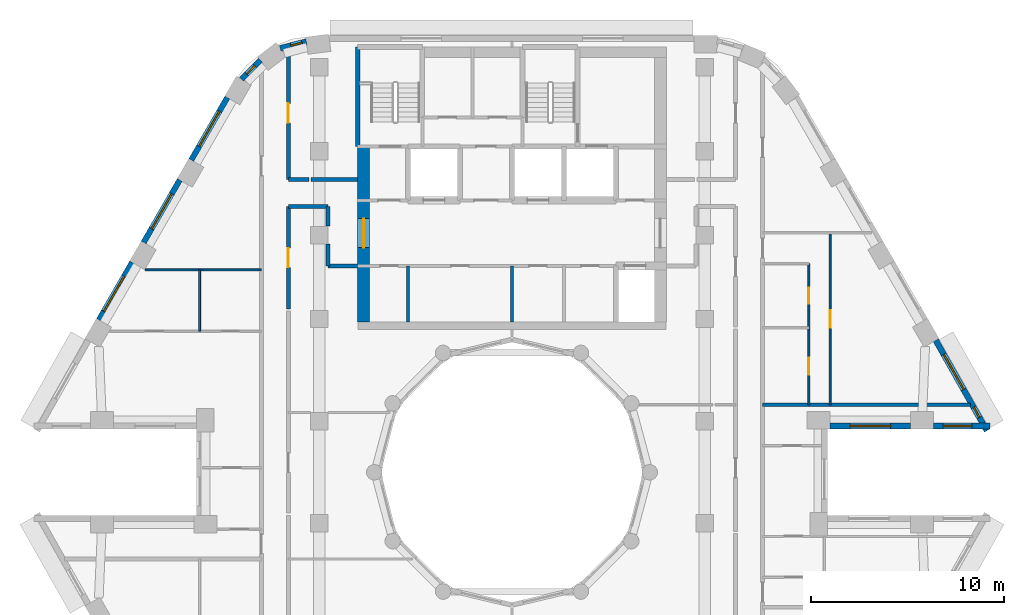
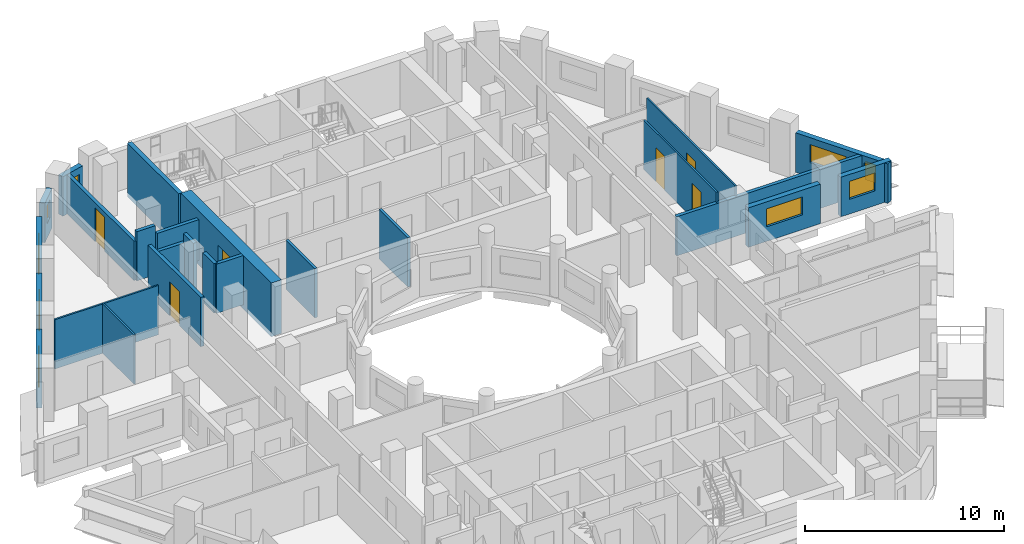
# One storey, part 7 of 16: 25 walls, 9 windows, 6 doors, 15 openings.
"""IFC4 building model written with IfcOpenShell, lengths in metres."""

import ifcopenshell
import ifcopenshell.guid

model = None  # the IFC model being written
_history = None  # IfcOwnerHistory: only IFC2X3 demands one
_inside = {}  # id of a spatial element -> (the spatial element, [elements in it])
_under = {}  # id of a project, library or spatial element -> (it, [spatial elements below it])
_declared = {}  # id of a project -> (the project, [libraries it declares])
_typed = {}  # id of a type object -> (the type object, [elements of that type])
_made_of = {}  # id of a material, layer set ... -> (it, [elements and type objects made of it])


def new_model(schema):
    """Start an empty IFC model of exactly this schema.

    Asked for "IFC4X3", IfcOpenShell would pick the latest addendum, in which some entities
    have other attributes; the version numbers below select the first issue.
    IFC2X3 requires an IfcOwnerHistory on every rooted entity: one is made here for all.
    """
    global model, _history
    if schema == "IFC4X3":
        model = ifcopenshell.file(schema_version=(4, 3, 0, 0))
    else:
        model = ifcopenshell.file(schema=schema)
    _inside.clear()
    _under.clear()
    _declared.clear()
    _typed.clear()
    _made_of.clear()
    _history = None
    if model.schema == "IFC2X3":
        org = make("IfcOrganization", Name="unknown")
        user = make(
            "IfcPersonAndOrganization",
            ThePerson=make("IfcPerson", FamilyName="unknown"),
            TheOrganization=org,
        )
        app = make(
            "IfcApplication",
            ApplicationDeveloper=org,
            Version="unknown",
            ApplicationFullName="unknown",
            ApplicationIdentifier="unknown",
        )
        _history = make(
            "IfcOwnerHistory",
            OwningUser=user,
            OwningApplication=app,
            ChangeAction="ADDED",
            CreationDate=0,
        )
    return model


def make(cls, **values):
    """One entity of the class cls with the attributes given. An attribute that is None is left unset."""
    return model.create_entity(
        cls, **{name: value for name, value in values.items() if value is not None}
    )


def rooted(cls, **values):
    """An entity with a GlobalId (a new one), such as an element, a storey or a relation."""
    return make(cls, GlobalId=ifcopenshell.guid.new(), OwnerHistory=_history, **values)


def si_unit(unit_type, name, prefix=None):
    """IfcSIUnit, for example si_unit("LENGTHUNIT", "METRE", prefix="MILLI")."""
    return make("IfcSIUnit", UnitType=unit_type, Prefix=prefix, Name=name)


def assignment(units):
    """IfcUnitAssignment: the units of a project."""
    return None if units is None else make("IfcUnitAssignment", Units=units)


def point(xyz):
    """IfcCartesianPoint."""
    return None if xyz is None else make("IfcCartesianPoint", Coordinates=xyz)


def direction(xyz):
    """IfcDirection."""
    return None if xyz is None else make("IfcDirection", DirectionRatios=xyz)


def frame(location, z_axis=None, x_axis=None):
    """IfcAxis2Placement3D, a coordinate frame: its origin and axes. An axis left out is left unset."""
    return make(
        "IfcAxis2Placement3D",
        Location=point(location),
        Axis=direction(z_axis),
        RefDirection=direction(x_axis),
    )


def frame_2d(location, x_axis=None):
    """IfcAxis2Placement2D, a coordinate frame in the plane: its origin and x axis."""
    return make(
        "IfcAxis2Placement2D", Location=point(location), RefDirection=direction(x_axis)
    )


def origin():
    """The frame at (0, 0, 0) with its axes left unset."""
    return frame((0.0, 0.0, 0.0))


def place(relative_to, where):
    """IfcLocalPlacement: puts the frame where relative to a parent placement (None: the world)."""
    return make(
        "IfcLocalPlacement", PlacementRelTo=relative_to, RelativePlacement=where
    )


def context(
    kind, dimensions, precision=None, world=None, true_north=None, identifier=None
):
    """IfcGeometricRepresentationContext, for example the 3D "Model" context."""
    return make(
        "IfcGeometricRepresentationContext",
        ContextIdentifier=identifier,
        ContextType=kind,
        CoordinateSpaceDimension=dimensions,
        Precision=precision,
        WorldCoordinateSystem=world,
        TrueNorth=true_north,
    )


def subcontext(parent, identifier, kind, view, scale=None):
    """IfcGeometricRepresentationSubContext, for example "Body" below "Model"."""
    return make(
        "IfcGeometricRepresentationSubContext",
        ContextIdentifier=identifier,
        ContextType=kind,
        ParentContext=parent,
        TargetScale=scale,
        TargetView=view,
    )


def project(units=None, contexts=None):
    """IfcProject with its units and contexts."""
    return rooted(
        "IfcProject",
        Name="project",
        RepresentationContexts=contexts,
        UnitsInContext=assignment(units),
    )


def spatial(cls, under=None, at=None, **own):
    """A site, building, storey or space (cls), placed at a placement, below another one or the project."""
    s = rooted(cls, ObjectPlacement=at, **own)
    if under is not None:
        _under.setdefault(under.id(), (under, []))[1].append(s)
    return s


def profile(cls, at=None, kind="AREA", **sizes):
    """A parametric profile (cls). Its sizes go by their IFC names, for example OverallWidth=200.0."""
    return make(cls, ProfileType=kind, Position=at, **sizes)


def rectangle(**sizes):
    """IfcRectangleProfileDef."""
    return profile("IfcRectangleProfileDef", **sizes)


def extrude(swept, where, along, depth):
    """IfcExtrudedAreaSolid: the profile swept, set in the frame where, extruded along a direction by depth."""
    return make(
        "IfcExtrudedAreaSolid",
        SweptArea=swept,
        Position=where,
        ExtrudedDirection=direction(along),
        Depth=depth,
    )


def shape(context_of_items, identifier, shape_type, items):
    """IfcShapeRepresentation: the items that make up one representation, for example the "Body"."""
    return make(
        "IfcShapeRepresentation",
        ContextOfItems=context_of_items,
        RepresentationIdentifier=identifier,
        RepresentationType=shape_type,
        Items=items,
    )


def material(Name=None, Category=None):
    """IfcMaterial."""
    return make("IfcMaterial", Name=Name, Category=Category)


def layer(
    of_material, thickness, ventilated=None, Name=None, Category=None, Priority=None
):
    """IfcMaterialLayer: one layer of a wall or slab, of a material (None: an air gap)."""
    return make(
        "IfcMaterialLayer",
        Material=of_material,
        LayerThickness=thickness,
        IsVentilated=ventilated,
        Name=Name,
        Category=Category,
        Priority=Priority,
    )


def layer_set(layers, Name=None):
    """IfcMaterialLayerSet."""
    return make("IfcMaterialLayerSet", MaterialLayers=layers, LayerSetName=Name)


def made_of(thing, what):
    """Note that an element or type object is made of a material, layer set ...; save() writes the relation."""
    if what is not None:
        _made_of.setdefault(what.id(), (what, []))[1].append(thing)
    return thing


def type_object(cls, material=None, **own):
    """A type object (cls), such as IfcWallType, which elements share."""
    return made_of(rooted(cls, **own), material)


def element(
    cls,
    number,
    at=None,
    inside=None,
    cuts=None,
    type_object=None,
    material=None,
    context=None,
    identifier="Body",
    shape_type=None,
    held_by="IfcProductDefinitionShape",
    body=None,
    shapes=None,
    **own,
):
    """One element of the class cls, such as IfcWall. Its Tag is "e" and its number.

    at: its placement. inside: the storey or other place that contains it. cuts: it is an
    opening in that element (IfcRelVoidsElement). A single representation is given by context,
    identifier, shape_type and body (its items); several are given by shapes. held_by: the class
    of the entity that holds the representations. save() writes the other relations.
    """
    e = rooted(cls, Tag="e%d" % number, ObjectPlacement=at, **own)
    if body is not None:
        shapes = [shape(context, identifier, shape_type, body)]
    if shapes is not None:
        e.Representation = make(held_by, Representations=shapes)
    if inside is not None:
        _inside.setdefault(inside.id(), (inside, []))[1].append(e)
    if cuts is not None:
        rooted(
            "IfcRelVoidsElement", RelatingBuildingElement=cuts, RelatedOpeningElement=e
        )
    if type_object is not None:
        _typed.setdefault(type_object.id(), (type_object, []))[1].append(e)
    return made_of(e, material)


def fill(opening, filler):
    """IfcRelFillsElement: the door or window that sits in an opening."""
    return rooted(
        "IfcRelFillsElement",
        RelatingOpeningElement=opening,
        RelatedBuildingElement=filler,
    )


def aggregate(whole, parts):
    """IfcRelAggregates: a whole, such as a stair, and the parts it consists of."""
    return rooted("IfcRelAggregates", RelatingObject=whole, RelatedObjects=parts)


def save(model, path):
    """Write the relations noted so far, then the file.

    IfcRelAggregates (storeys below a building ...), IfcRelContainedInSpatialStructure (elements
    in a storey), IfcRelDefinesByType, IfcRelAssociatesMaterial and IfcRelDeclares: one each for
    every whole, place, type object, material and project.
    """
    for whole, parts in _under.values():
        aggregate(whole, parts)
    for where, things in _inside.values():
        rooted(
            "IfcRelContainedInSpatialStructure",
            RelatedElements=things,
            RelatingStructure=where,
        )
    for kind, things in _typed.values():
        rooted("IfcRelDefinesByType", RelatedObjects=things, RelatingType=kind)
    for what, things in _made_of.values():
        rooted("IfcRelAssociatesMaterial", RelatedObjects=things, RelatingMaterial=what)
    for by, libraries in _declared.values():
        rooted("IfcRelDeclares", RelatingContext=by, RelatedDefinitions=libraries)
    model.write(path)


model = new_model("IFC4")

# Units and contexts
model_context = context("Model", 3, precision=1e-05, world=origin(), true_north=direction((0.0, 1.0)))
body_context = subcontext(model_context, "Body", "Model", "MODEL_VIEW")
ifc_project = project(units=[si_unit("LENGTHUNIT", "METRE"), si_unit("AREAUNIT", "SQUARE_METRE"), si_unit("VOLUMEUNIT", "CUBIC_METRE"), si_unit("PLANEANGLEUNIT", "RADIAN"), si_unit("MASSUNIT", "GRAM", prefix="KILO")], contexts=[model_context])

# Site, building, storey
site_placement = place(None, origin())
site = spatial("IfcSite", under=ifc_project, at=site_placement, CompositionType="ELEMENT")
building_placement = place(site_placement, origin())
building = spatial("IfcBuilding", under=site, at=building_placement, Name="Nakaniwa Court", CompositionType="ELEMENT")
storey_placement = place(building_placement, frame((0.0, 0.0, 193.199951171875)))
storey = spatial("IfcBuildingStorey", under=building, at=storey_placement, Name="L50", CompositionType="ELEMENT", Elevation=193.199951171875)

# Walls
ifc_material_1 = material(Name="Acoustic double stud partition")
ifc_layer_1 = layer(ifc_material_1, 0.199951171875)
ifc_layer_set_1 = layer_set([ifc_layer_1], Name="Acoustic double stud partition")
wall_type_1 = type_object("IfcWallType", Name="Acoustic double stud partition 200", PredefinedType="PARTITIONING", material=ifc_layer_set_1)
wall_1_placement = place(storey_placement, frame((68.39990234375, 93.77490234375, 0.0), z_axis=(0.0, 0.0, 1.0), x_axis=(1.0, 0.0, 0.0)))
element("IfcWall", 1, at=wall_1_placement, inside=storey, type_object=wall_type_1, Name="Partition PW-088", PredefinedType="PARTITIONING", context=body_context, shape_type="SweptSolid", body=[
    extrude(rectangle(XDim=2.050048828125, YDim=0.199951171875, at=frame_2d((1.02490234375, 0.0))), origin(), (0.0, 0.0, 1.0), 2.505126953125),
])
wall_2_placement = place(storey_placement, frame((70.449951171875, 90.699951171875, 0.0), z_axis=(0.0, 0.0, 1.0), x_axis=(1.0, 0.0, 0.0)))
element("IfcWall", 2, at=wall_2_placement, inside=storey, type_object=wall_type_1, Name="Partition PW-090", PredefinedType="PARTITIONING", context=body_context, shape_type="SweptSolid", body=[
    extrude(rectangle(XDim=1.550048828125, YDim=0.199951171875, at=frame_2d((0.77490234375, 0.0))), origin(), (0.0, 0.0, 1.0), 3.025146484375),
])
wall_3_placement = place(storey_placement, frame((68.39990234375, 95.175048828125, 0.0), z_axis=(0.0, 0.0, 1.0), x_axis=(1.0, 0.0, 0.0)))
element("IfcWall", 3, at=wall_3_placement, inside=storey, type_object=wall_type_1, Name="Partition PW-092", PredefinedType="PARTITIONING", context=body_context, shape_type="SweptSolid", body=[
    extrude(rectangle(XDim=1.072998046875, YDim=0.199951171875, at=frame_2d((0.53662109375, 0.0))), origin(), (0.0, 0.0, 1.0), 3.025146484375),
])
wall_4_placement = place(storey_placement, frame((69.587158203125, 95.175048828125, 0.0), z_axis=(0.0, 0.0, 1.0), x_axis=(1.0, 0.0, 0.0)))
element("IfcWall", 4, at=wall_4_placement, inside=storey, type_object=wall_type_1, Name="Partition PW-093", PredefinedType="PARTITIONING", context=body_context, shape_type="SweptSolid", body=[
    extrude(rectangle(XDim=2.412841796875, YDim=0.199951171875, at=frame_2d((1.20654296875, 0.0))), origin(), (0.0, 0.0, 1.0), 2.505126953125),
])

# Wall, opening, door
wall_5_placement = place(storey_placement, frame((68.39990234375, 93.77490234375, 0.0), z_axis=(0.0, 0.0, 1.0), x_axis=(0.0, -1.0, 0.0)))
wall_5 = element("IfcWall", 5, at=wall_5_placement, inside=storey, type_object=wall_type_1, Name="Partition PW-100", PredefinedType="PARTITIONING", context=body_context, shape_type="SweptSolid", body=[
    extrude(rectangle(XDim=5.297607421875, YDim=0.199951171875, at=frame_2d((2.64892578125, 0.0))), origin(), (0.0, 0.0, 1.0), 3.025146484375),
])
opening_1_placement = place(wall_5_placement, frame((2.14794921875, 0.0, 0.0)))
opening_1 = element("IfcOpeningElement", 6, at=opening_1_placement, cuts=wall_5, Name="Opening D-02-07", PredefinedType="OPENING", context=body_context, shape_type="SweptSolid", body=[
    extrude(rectangle(XDim=1.0, YDim=2.10009765625, at=frame_2d((0.5, 1.050048828125))), frame((0.0, 0.10986328125, 0.0), z_axis=(0.0, -1.0, 0.0), x_axis=(1.0, 0.0, 0.0)), (0.0, 0.0, 1.0), 0.219970703125),
])
ifc_material_2 = material(Name="Solid core timber door set, black veneer", Category="wood")
door_type_1 = type_object("IfcDoorType", Name="Internal door 1000", OperationType="NOTDEFINED", PredefinedType="DOOR", material=ifc_material_2)
door_1_placement = place(opening_1_placement, origin())
door_1 = element("IfcDoor", 7, at=door_1_placement, inside=storey, type_object=door_type_1, Name="Door D-02-07 L50-054", OperationType="SINGLE_SWING_LEFT", OverallHeight=2.10009765625, OverallWidth=1.0, PredefinedType="DOOR", context=body_context, shape_type="SweptSolid", body=[
    extrude(rectangle(XDim=1.0, YDim=2.10009765625, at=frame_2d((0.5, 1.050048828125))), frame((0.0, 0.02490234375, 0.0), z_axis=(0.0, -1.0, 0.0), x_axis=(1.0, 0.0, 0.0)), (0.0, 0.0, 1.0), 0.050048828125),
])
fill(opening_1, door_1)

wall_6_placement = place(storey_placement, frame((68.39990234375, 102.07373046875, 0.0), z_axis=(0.0, 0.0, 1.0), x_axis=(0.0, -1.0, 0.0)))
wall_6 = element("IfcWall", 8, at=wall_6_placement, inside=storey, type_object=wall_type_1, Name="Partition PW-101", PredefinedType="PARTITIONING", context=body_context, shape_type="SweptSolid", body=[
    extrude(rectangle(XDim=6.898681640625, YDim=0.199951171875, at=frame_2d((3.44921875, 0.0))), origin(), (0.0, 0.0, 1.0), 2.405029296875),
])
opening_2_placement = place(wall_6_placement, frame((2.948974609375, 0.0, 0.0)))
opening_2 = element("IfcOpeningElement", 9, at=opening_2_placement, cuts=wall_6, Name="Opening D-02-11", PredefinedType="OPENING", context=body_context, shape_type="SweptSolid", body=[
    extrude(rectangle(XDim=1.0, YDim=2.10009765625, at=frame_2d((0.5, 1.050048828125))), frame((0.0, 0.10986328125, 0.0), z_axis=(0.0, -1.0, 0.0), x_axis=(1.0, 0.0, 0.0)), (0.0, 0.0, 1.0), 0.219970703125),
])
door_2_placement = place(opening_2_placement, origin())
door_2 = element("IfcDoor", 10, at=door_2_placement, inside=storey, type_object=door_type_1, Name="Door D-02-11 L50-058", OperationType="SINGLE_SWING_LEFT", OverallHeight=2.10009765625, OverallWidth=1.0, PredefinedType="DOOR", context=body_context, shape_type="SweptSolid", body=[
    extrude(rectangle(XDim=1.0, YDim=2.10009765625, at=frame_2d((0.5, 1.050048828125))), frame((0.0, 0.02490234375, 0.0), z_axis=(0.0, -1.0, 0.0), x_axis=(1.0, 0.0, 0.0)), (0.0, 0.0, 1.0), 0.050048828125),
])
fill(opening_2, door_2)

# Walls
wall_7_placement = place(storey_placement, frame((70.449951171875, 90.699951171875, 0.0), z_axis=(0.0, 0.0, 1.0), x_axis=(0.0, 1.0, 0.0)))
element("IfcWall", 11, at=wall_7_placement, inside=storey, type_object=wall_type_1, Name="Partition PW-105", PredefinedType="PARTITIONING", context=body_context, shape_type="SweptSolid", body=[
    extrude(rectangle(XDim=1.1328125, YDim=0.199951171875, at=frame_2d((0.56640625, 0.0))), origin(), (0.0, 0.0, 1.0), 3.025146484375),
])
wall_8_placement = place(storey_placement, frame((70.449951171875, 92.76708984375, 0.0), z_axis=(0.0, 0.0, 1.0), x_axis=(0.0, 1.0, 0.0)))
element("IfcWall", 12, at=wall_8_placement, inside=storey, type_object=wall_type_1, Name="Partition PW-106", PredefinedType="PARTITIONING", context=body_context, shape_type="SweptSolid", body=[
    extrude(rectangle(XDim=1.0078125, YDim=0.199951171875, at=frame_2d((0.50390625, 0.0))), origin(), (0.0, 0.0, 1.0), 3.025146484375),
])
wall_9_placement = place(storey_placement, frame((93.0009765625, 83.5, 0.0), z_axis=(0.0, 0.0, 1.0), x_axis=(1.0, 0.0, 0.0)))
element("IfcWall", 13, at=wall_9_placement, inside=storey, type_object=wall_type_1, Name="Partition PW-122", PredefinedType="PARTITIONING", context=body_context, shape_type="SweptSolid", body=[
    extrude(rectangle(XDim=10.785888671875, YDim=0.199951171875, at=frame_2d((5.39306640625, 0.0))), origin(), (0.0, 0.0, 1.0), 2.405029296875),
])

# Wall, opening, window
ifc_material_3 = material(Name="Charcoal ceramic cladding")
ifc_layer_2 = layer(ifc_material_3, 0.02, Name="Ceramic cladding")
ifc_material_4 = material(Name="Ventilated air cavity")
ifc_layer_3 = layer(ifc_material_4, 0.04, ventilated=True, Name="Ventilated cavity")
ifc_material_5 = material(Name="Mineral wool insulation")
ifc_layer_4 = layer(ifc_material_5, 0.1, Name="Insulation")
ifc_material_6 = material(Name="Cement bonded sheathing board")
ifc_layer_5 = layer(ifc_material_6, 0.012, Name="Sheathing")
ifc_material_7 = material(Name="Cold-formed galvanised stud frame with mineral wool infill")
ifc_layer_6 = layer(ifc_material_7, 0.1, Name="Stud frame")
ifc_material_8 = material(Name="Fire-rated gypsum plasterboard lining")
ifc_layer_7 = layer(ifc_material_8, 0.028, Name="Lining")
ifc_layer_set_2 = layer_set([ifc_layer_2, ifc_layer_3, ifc_layer_4, ifc_layer_5, ifc_layer_6, ifc_layer_7], Name="Charcoal ceramic faced external wall system")
wall_type_2 = type_object("IfcWallType", Name="Black ceramic faced external wall 300", PredefinedType="SOLIDWALL", material=ifc_layer_set_2)
wall_10_placement = place(storey_placement, frame((96.49560546875, 82.39990234375, 0.0), z_axis=(0.0, 0.0, 1.0), x_axis=(1.0, 0.0, 0.0)))
wall_10 = element("IfcWall", 14, at=wall_10_placement, inside=storey, type_object=wall_type_2, Name="L50 external wall 00", PredefinedType="SOLIDWALL", context=body_context, shape_type="SweptSolid", body=[
    extrude(rectangle(XDim=4.17236328125, YDim=0.300048828125, at=frame_2d((2.086181640625, 0.0))), origin(), (0.0, 0.0, 1.0), 2.425048828125),
])
opening_3_placement = place(wall_10_placement, frame((1.036376953125, 0.0, 0.89990234375)))
opening_3 = element("IfcOpeningElement", 15, at=opening_3_placement, cuts=wall_10, Name="Opening W7.01", PredefinedType="OPENING", context=body_context, shape_type="SweptSolid", body=[
    extrude(rectangle(XDim=2.10009765625, YDim=1.10009765625, at=frame_2d((1.050048828125, 0.550048828125))), frame((0.0, 0.159912109375, 0.0), z_axis=(0.0, -1.0, 0.0), x_axis=(1.0, 0.0, 0.0)), (0.0, 0.0, 1.0), 0.320068359375),
])
ifc_material_9 = material(Name="Black anodised aluminium frame with dark low-E laminated double glazing", Category="aluminium")
window_type_1 = type_object("IfcWindowType", Name="Dark glass window 2100x1100 sill 900", PartitioningType="SINGLE_PANEL", PredefinedType="WINDOW", material=ifc_material_9)
window_1_placement = place(opening_3_placement, origin())
window_1 = element("IfcWindow", 16, at=window_1_placement, inside=storey, type_object=window_type_1, Name="L50 habitable room window 00-0", OverallHeight=1.10009765625, OverallWidth=2.10009765625, PartitioningType="SINGLE_PANEL", PredefinedType="WINDOW", context=body_context, shape_type="SweptSolid", body=[
    extrude(rectangle(XDim=2.10009765625, YDim=1.10009765625, at=frame_2d((1.050048828125, 0.550048828125))), frame((0.0, 0.030029296875, 0.0), z_axis=(0.0, -1.0, 0.0), x_axis=(1.0, 0.0, 0.0)), (0.0, 0.0, 1.0), 0.06005859375),
])
fill(opening_3, window_1)

wall_11_placement = place(storey_placement, frame((101.860107421875, 82.39990234375, 0.0), z_axis=(0.0, 0.0, 1.0), x_axis=(1.0, 0.0, 0.0)))
wall_11 = element("IfcWall", 17, at=wall_11_placement, inside=storey, type_object=wall_type_2, Name="L50 external wall 01", PredefinedType="SOLIDWALL", context=body_context, shape_type="SweptSolid", body=[
    extrude(rectangle(XDim=2.937744140625, YDim=0.300048828125, at=frame_2d((1.46875, 0.0))), origin(), (0.0, 0.0, 1.0), 2.425048828125),
])
opening_4_placement = place(wall_11_placement, frame((0.493896484375, 0.0, 0.89990234375)))
opening_4 = element("IfcOpeningElement", 18, at=opening_4_placement, cuts=wall_11, Name="Opening W5.02", PredefinedType="OPENING", context=body_context, shape_type="SweptSolid", body=[
    extrude(rectangle(XDim=1.5, YDim=1.10009765625, at=frame_2d((0.75, 0.550048828125))), frame((0.0, 0.159912109375, 0.0), z_axis=(0.0, -1.0, 0.0), x_axis=(1.0, 0.0, 0.0)), (0.0, 0.0, 1.0), 0.320068359375),
])
window_type_2 = type_object("IfcWindowType", Name="Dark glass window 1500x1100 sill 900", PartitioningType="SINGLE_PANEL", PredefinedType="WINDOW", material=ifc_material_9)
window_2_placement = place(opening_4_placement, origin())
window_2 = element("IfcWindow", 19, at=window_2_placement, inside=storey, type_object=window_type_2, Name="L50 habitable room window 01-0", OverallHeight=1.10009765625, OverallWidth=1.5, PartitioningType="SINGLE_PANEL", PredefinedType="WINDOW", context=body_context, shape_type="SweptSolid", body=[
    extrude(rectangle(XDim=1.5, YDim=1.10009765625, at=frame_2d((0.75, 0.550048828125))), frame((0.0, 0.030029296875, 0.0), z_axis=(0.0, -1.0, 0.0), x_axis=(1.0, 0.0, 0.0)), (0.0, 0.0, 1.0), 0.06005859375),
])
fill(opening_4, window_2)

# Wall, openings, windows
wall_12_placement = place(storey_placement, frame((104.627197265625, 82.153564453125, 0.0), z_axis=(0.0, 0.0, 1.0), x_axis=(-0.492033360928, 0.870576344575, 0.0)))
wall_12 = element("IfcWall", 20, at=wall_12_placement, inside=storey, type_object=wall_type_2, Name="L50 external wall 02", PredefinedType="SOLIDWALL", context=body_context, shape_type="SweptSolid", body=[
    extrude(rectangle(XDim=5.38671875, YDim=0.300048828125, at=frame_2d((2.693359375, 0.0))), origin(), (0.0, 0.0, 1.0), 2.425048828125),
])
opening_5_placement = place(wall_12_placement, frame((0.797119140625, 0.0, 0.89990234375)))
opening_5 = element("IfcOpeningElement", 21, at=opening_5_placement, cuts=wall_12, Name="Opening W8.03", PredefinedType="OPENING", context=body_context, shape_type="SweptSolid", body=[
    extrude(rectangle(XDim=0.60009765625, YDim=1.10009765625, at=frame_2d((0.300048828125, 0.550048828125))), frame((0.0, 0.159912109375, 0.0), z_axis=(0.0, -1.0, 0.0), x_axis=(1.0, 0.0, 0.0)), (0.0, 0.0, 1.0), 0.320068359375),
])
opening_6_placement = place(wall_12_placement, frame((2.451904296875, 0.0, 0.89990234375)))
opening_6 = element("IfcOpeningElement", 22, at=opening_6_placement, cuts=wall_12, Name="Opening W7.04", PredefinedType="OPENING", context=body_context, shape_type="SweptSolid", body=[
    extrude(rectangle(XDim=2.10009765625, YDim=1.10009765625, at=frame_2d((1.050048828125, 0.550048828125))), frame((0.0, 0.159912109375, 0.0), z_axis=(0.0, -1.0, 0.0), x_axis=(1.0, 0.0, 0.0)), (0.0, 0.0, 1.0), 0.320068359375),
])
window_3_placement = place(opening_6_placement, origin())
window_3 = element("IfcWindow", 23, at=window_3_placement, inside=storey, type_object=window_type_1, Name="L50 living window 02-1", OverallHeight=1.10009765625, OverallWidth=2.10009765625, PartitioningType="SINGLE_PANEL", PredefinedType="WINDOW", context=body_context, shape_type="SweptSolid", body=[
    extrude(rectangle(XDim=2.10009765625, YDim=1.10009765625, at=frame_2d((1.050048828125, 0.550048828125))), frame((0.0, 0.030029296875, 0.0), z_axis=(0.0, -1.0, 0.0), x_axis=(1.0, 0.0, 0.0)), (0.0, 0.0, 1.0), 0.06005859375),
])
fill(opening_6, window_3)
window_type_3 = type_object("IfcWindowType", Name="Dark glass window 600x1100 sill 900", PartitioningType="SINGLE_PANEL", PredefinedType="WINDOW", material=ifc_material_9)
window_4_placement = place(opening_5_placement, origin())
window_4 = element("IfcWindow", 24, at=window_4_placement, inside=storey, type_object=window_type_3, Name="L50 habitable room window 02-0", OverallHeight=1.10009765625, OverallWidth=0.60009765625, PartitioningType="SINGLE_PANEL", PredefinedType="WINDOW", context=body_context, shape_type="SweptSolid", body=[
    extrude(rectangle(XDim=0.60009765625, YDim=1.10009765625, at=frame_2d((0.300048828125, 0.550048828125))), frame((0.0, 0.030029296875, 0.0), z_axis=(0.0, -1.0, 0.0), x_axis=(1.0, 0.0, 0.0)), (0.0, 0.0, 1.0), 0.06005859375),
])
fill(opening_5, window_4)

# Wall, opening, window
wall_13_placement = place(storey_placement, frame((69.3359375, 102.333251953125, 0.0), z_axis=(0.0, 0.0, 1.0), x_axis=(-0.969037396898, -0.246914000036, 0.0)))
wall_13 = element("IfcWall", 25, at=wall_13_placement, inside=storey, type_object=wall_type_2, Name="L50 external wall 09", PredefinedType="SOLIDWALL", context=body_context, shape_type="SweptSolid", body=[
    extrude(rectangle(XDim=1.403076171875, YDim=0.300048828125, at=frame_2d((0.70166015625, 0.0))), origin(), (0.0, 0.0, 1.0), 2.425048828125),
])
opening_7_placement = place(wall_13_placement, frame((0.22900390625, 0.0, 0.89990234375)))
opening_7 = element("IfcOpeningElement", 26, at=opening_7_placement, cuts=wall_13, Name="Opening W8.12", PredefinedType="OPENING", context=body_context, shape_type="SweptSolid", body=[
    extrude(rectangle(XDim=0.60009765625, YDim=1.10009765625, at=frame_2d((0.300048828125, 0.550048828125))), frame((0.0, 0.159912109375, 0.0), z_axis=(0.0, -1.0, 0.0), x_axis=(1.0, 0.0, 0.0)), (0.0, 0.0, 1.0), 0.320068359375),
])
window_5_placement = place(opening_7_placement, origin())
window_5 = element("IfcWindow", 27, at=window_5_placement, inside=storey, type_object=window_type_3, Name="L50 habitable room window 09-0", OverallHeight=1.10009765625, OverallWidth=0.60009765625, PartitioningType="SINGLE_PANEL", PredefinedType="WINDOW", context=body_context, shape_type="SweptSolid", body=[
    extrude(rectangle(XDim=0.60009765625, YDim=1.10009765625, at=frame_2d((0.300048828125, 0.550048828125))), frame((0.0, 0.030029296875, 0.0), z_axis=(0.0, -1.0, 0.0), x_axis=(1.0, 0.0, 0.0)), (0.0, 0.0, 1.0), 0.06005859375),
])
fill(opening_7, window_5)

wall_14_placement = place(storey_placement, frame((66.951904296875, 101.36328125, 0.0), z_axis=(0.0, 0.0, 1.0), x_axis=(-0.70869320446, -0.705516790695, 0.0)))
wall_14 = element("IfcWall", 28, at=wall_14_placement, inside=storey, type_object=wall_type_2, Name="L50 external wall 10", PredefinedType="SOLIDWALL", context=body_context, shape_type="SweptSolid", body=[
    extrude(rectangle(XDim=1.383544921875, YDim=0.300048828125, at=frame_2d((0.69189453125, 0.0))), origin(), (0.0, 0.0, 1.0), 2.425048828125),
])
opening_8_placement = place(wall_14_placement, frame((0.407958984375, 0.0, 0.89990234375)))
opening_8 = element("IfcOpeningElement", 29, at=opening_8_placement, cuts=wall_14, Name="Opening W8.13", PredefinedType="OPENING", context=body_context, shape_type="SweptSolid", body=[
    extrude(rectangle(XDim=0.60009765625, YDim=1.10009765625, at=frame_2d((0.300048828125, 0.550048828125))), frame((0.0, 0.159912109375, 0.0), z_axis=(0.0, -1.0, 0.0), x_axis=(1.0, 0.0, 0.0)), (0.0, 0.0, 1.0), 0.320068359375),
])
window_6_placement = place(opening_8_placement, origin())
window_6 = element("IfcWindow", 30, at=window_6_placement, inside=storey, type_object=window_type_3, Name="L50 habitable room window 10-1", OverallHeight=1.10009765625, OverallWidth=0.60009765625, PartitioningType="SINGLE_PANEL", PredefinedType="WINDOW", context=body_context, shape_type="SweptSolid", body=[
    extrude(rectangle(XDim=0.60009765625, YDim=1.10009765625, at=frame_2d((0.300048828125, 0.550048828125))), frame((0.0, 0.030029296875, 0.0), z_axis=(0.0, -1.0, 0.0), x_axis=(1.0, 0.0, 0.0)), (0.0, 0.0, 1.0), 0.06005859375),
])
fill(opening_8, window_6)

wall_15_placement = place(storey_placement, frame((65.239013671875, 99.433349609375, 0.0), z_axis=(0.0, 0.0, 1.0), x_axis=(-0.499982088007, -0.866035745032, 0.0)))
wall_15 = element("IfcWall", 31, at=wall_15_placement, inside=storey, type_object=wall_type_2, Name="L50 external wall 11", PredefinedType="SOLIDWALL", context=body_context, shape_type="SweptSolid", body=[
    extrude(rectangle(XDim=3.744384765625, YDim=0.300048828125, at=frame_2d((1.8720703125, 0.0))), origin(), (0.0, 0.0, 1.0), 2.425048828125),
])
opening_9_placement = place(wall_15_placement, frame((0.822021484375, 0.0, 0.89990234375)))
opening_9 = element("IfcOpeningElement", 32, at=opening_9_placement, cuts=wall_15, Name="Opening W7.14", PredefinedType="OPENING", context=body_context, shape_type="SweptSolid", body=[
    extrude(rectangle(XDim=2.10009765625, YDim=1.10009765625, at=frame_2d((1.050048828125, 0.550048828125))), frame((0.0, 0.159912109375, 0.0), z_axis=(0.0, -1.0, 0.0), x_axis=(1.0, 0.0, 0.0)), (0.0, 0.0, 1.0), 0.320068359375),
])
window_7_placement = place(opening_9_placement, origin())
window_7 = element("IfcWindow", 33, at=window_7_placement, inside=storey, type_object=window_type_1, Name="L50 habitable room window 11-0", OverallHeight=1.10009765625, OverallWidth=2.10009765625, PartitioningType="SINGLE_PANEL", PredefinedType="WINDOW", context=body_context, shape_type="SweptSolid", body=[
    extrude(rectangle(XDim=2.10009765625, YDim=1.10009765625, at=frame_2d((1.050048828125, 0.550048828125))), frame((0.0, 0.030029296875, 0.0), z_axis=(0.0, -1.0, 0.0), x_axis=(1.0, 0.0, 0.0)), (0.0, 0.0, 1.0), 0.06005859375),
])
fill(opening_9, window_7)

wall_16_placement = place(storey_placement, frame((62.77099609375, 95.158447265625, 0.0), z_axis=(0.0, 0.0, 1.0), x_axis=(-0.500059225181, -0.86599120741, 0.0)))
wall_16 = element("IfcWall", 34, at=wall_16_placement, inside=storey, type_object=wall_type_2, Name="L50 external wall 12", PredefinedType="SOLIDWALL", context=body_context, shape_type="SweptSolid", body=[
    extrude(rectangle(XDim=3.744140625, YDim=0.300048828125, at=frame_2d((1.8720703125, 0.0))), origin(), (0.0, 0.0, 1.0), 2.425048828125),
])
opening_10_placement = place(wall_16_placement, frame((0.822021484375, 0.0, 0.89990234375)))
opening_10 = element("IfcOpeningElement", 35, at=opening_10_placement, cuts=wall_16, Name="Opening W7.15", PredefinedType="OPENING", context=body_context, shape_type="SweptSolid", body=[
    extrude(rectangle(XDim=2.10009765625, YDim=1.10009765625, at=frame_2d((1.050048828125, 0.550048828125))), frame((0.0, 0.159912109375, 0.0), z_axis=(0.0, -1.0, 0.0), x_axis=(1.0, 0.0, 0.0)), (0.0, 0.0, 1.0), 0.320068359375),
])
window_8_placement = place(opening_10_placement, origin())
window_8 = element("IfcWindow", 36, at=window_8_placement, inside=storey, type_object=window_type_1, Name="L50 habitable room window 12-0", OverallHeight=1.10009765625, OverallWidth=2.10009765625, PartitioningType="SINGLE_PANEL", PredefinedType="WINDOW", context=body_context, shape_type="SweptSolid", body=[
    extrude(rectangle(XDim=2.10009765625, YDim=1.10009765625, at=frame_2d((1.050048828125, 0.550048828125))), frame((0.0, 0.030029296875, 0.0), z_axis=(0.0, -1.0, 0.0), x_axis=(1.0, 0.0, 0.0)), (0.0, 0.0, 1.0), 0.06005859375),
])
fill(opening_10, window_8)

wall_17_placement = place(storey_placement, frame((60.302734375, 90.883544921875, 0.0), z_axis=(0.0, 0.0, 1.0), x_axis=(-0.499955427682, -0.866051136095, 0.0)))
wall_17 = element("IfcWall", 37, at=wall_17_placement, inside=storey, type_object=wall_type_2, Name="L50 external wall 13", PredefinedType="SOLIDWALL", context=body_context, shape_type="SweptSolid", body=[
    extrude(rectangle(XDim=3.447021484375, YDim=0.300048828125, at=frame_2d((1.7236328125, 0.0))), origin(), (0.0, 0.0, 1.0), 2.425048828125),
])
opening_11_placement = place(wall_17_placement, frame((0.833984375, 0.0, 0.89990234375)))
opening_11 = element("IfcOpeningElement", 38, at=opening_11_placement, cuts=wall_17, Name="Opening W7.16", PredefinedType="OPENING", context=body_context, shape_type="SweptSolid", body=[
    extrude(rectangle(XDim=2.10009765625, YDim=1.10009765625, at=frame_2d((1.050048828125, 0.550048828125))), frame((0.0, 0.159912109375, 0.0), z_axis=(0.0, -1.0, 0.0), x_axis=(1.0, 0.0, 0.0)), (0.0, 0.0, 1.0), 0.320068359375),
])
window_9_placement = place(opening_11_placement, origin())
window_9 = element("IfcWindow", 39, at=window_9_placement, inside=storey, type_object=window_type_1, Name="L50 habitable room window 13-0", OverallHeight=1.10009765625, OverallWidth=2.10009765625, PartitioningType="SINGLE_PANEL", PredefinedType="WINDOW", context=body_context, shape_type="SweptSolid", body=[
    extrude(rectangle(XDim=2.10009765625, YDim=1.10009765625, at=frame_2d((1.050048828125, 0.550048828125))), frame((0.0, 0.030029296875, 0.0), z_axis=(0.0, -1.0, 0.0), x_axis=(1.0, 0.0, 0.0)), (0.0, 0.0, 1.0), 0.06005859375),
])
fill(opening_11, window_9)

# Walls
ifc_material_10 = material(Name="Blockwork partition", Category="masonry")
ifc_layer_8 = layer(ifc_material_10, 0.14990234375)
ifc_layer_set_3 = layer_set([ifc_layer_8], Name="Blockwork partition")
wall_type_3 = type_object("IfcWallType", Name="Blockwork partition 150", PredefinedType="PARTITIONING", material=ifc_layer_set_3)
for number, where, z_axis, x_axis, name in (
    (40, (74.60009765625, 87.800048828125, 0.0), (0.0, 0.0, 1.0), (0.0, 1.0, 0.0), "Partition PW-001"),
    (41, (80.0, 87.800048828125, 0.0), (0.0, 0.0, 1.0), (0.0, 1.0, 0.0), "Partition PW-008"),
):
    element("IfcWall", number, at=place(storey_placement, frame(where, z_axis=z_axis, x_axis=x_axis)), inside=storey, type_object=wall_type_3, Name=name, PredefinedType="PARTITIONING", context=body_context, shape_type="SweptSolid", body=[
        extrude(rectangle(XDim=2.89990234375, YDim=0.14990234375, at=frame_2d((1.449951171875, 0.0))), origin(), (0.0, 0.0, 1.0), 3.025146484375),
    ])

# Wall, opening, door
ifc_material_11 = material(Name="Concrete C80/100", Category="concrete")
ifc_layer_9 = layer(ifc_material_11, 0.60009765625)
ifc_layer_set_4 = layer_set([ifc_layer_9], Name="Concrete C80/100")
wall_type_4 = type_object("IfcWallType", Name="Concrete core side wall 600 C80", PredefinedType="SHEAR", material=ifc_layer_set_4)
wall_18_placement = place(storey_placement, frame((72.300048828125, 87.800048828125, -0.27490234375), z_axis=(0.0, 0.0, 1.0), x_axis=(0.0, 1.0, 0.0)))
wall_18 = element("IfcWall", 42, at=wall_18_placement, inside=storey, type_object=wall_type_4, Name="Core wall SW-03", PredefinedType="SHEAR", context=body_context, shape_type="SweptSolid", body=[
    extrude(rectangle(XDim=9.099853515625, YDim=0.60009765625, at=frame_2d((4.5498046875, 0.0))), origin(), (0.0, 0.0, 1.0), 3.300048828125),
])
opening_12_placement = place(wall_18_placement, frame((3.85205078125, 0.0, 0.27490234375)))
opening_12 = element("IfcOpeningElement", 43, at=opening_12_placement, cuts=wall_18, Name="Opening D-07-02", PredefinedType="OPENING", context=body_context, shape_type="SweptSolid", body=[
    extrude(rectangle(XDim=1.5, YDim=2.10009765625, at=frame_2d((0.75, 1.050048828125))), frame((0.0, 0.31005859375, 0.0), z_axis=(0.0, -1.0, 0.0), x_axis=(1.0, 0.0, 0.0)), (0.0, 0.0, 1.0), 0.6201171875),
])
ifc_material_12 = material(Name="Glazed fire rated steel double door set", Category="steel")
door_type_2 = type_object("IfcDoorType", Name="Lobby double door 1500", OperationType="NOTDEFINED", PredefinedType="DOOR", material=ifc_material_12)
door_3_placement = place(opening_12_placement, origin())
door_3 = element("IfcDoor", 44, at=door_3_placement, inside=storey, type_object=door_type_2, Name="Door D-07-02 L50-060", OperationType="DOUBLE_DOOR_SINGLE_SWING", OverallHeight=2.10009765625, OverallWidth=1.5, PredefinedType="DOOR", context=body_context, shape_type="SweptSolid", body=[
    extrude(rectangle(XDim=1.5, YDim=2.10009765625, at=frame_2d((0.75, 1.050048828125))), frame((0.0, 0.02490234375, 0.0), z_axis=(0.0, -1.0, 0.0), x_axis=(1.0, 0.0, 0.0)), (0.0, 0.0, 1.0), 0.050048828125),
])
fill(opening_12, door_3)

# Wall
ifc_layer_10 = layer(ifc_material_11, 0.25)
ifc_layer_set_5 = layer_set([ifc_layer_10], Name="Concrete C80/100")
wall_type_5 = type_object("IfcWallType", Name="Concrete core wall 250 C80", PredefinedType="SHEAR", material=ifc_layer_set_5)
wall_19_placement = place(storey_placement, frame((72.0, 96.89990234375, -0.27490234375), z_axis=(0.0, 0.0, 1.0), x_axis=(0.0, 1.0, 0.0)))
element("IfcWall", 45, at=wall_19_placement, inside=storey, type_object=wall_type_5, Name="Core wall SW-27", PredefinedType="SHEAR", context=body_context, shape_type="SweptSolid", body=[
    extrude(rectangle(XDim=5.150146484375, YDim=0.25, at=frame_2d((2.5751953125, 0.0))), origin(), (0.0, 0.0, 1.0), 3.300048828125),
])

# Wall, openings, doors
ifc_material_13 = material(Name="Single stud plasterboard partition")
ifc_layer_11 = layer(ifc_material_13, 0.10009765625)
ifc_layer_set_6 = layer_set([ifc_layer_11], Name="Single stud plasterboard partition")
wall_type_6 = type_object("IfcWallType", Name="Single stud plasterboard partition 100", PredefinedType="PARTITIONING", material=ifc_layer_set_6)
wall_20_placement = place(storey_placement, frame((95.40087890625, 83.5, 0.0), z_axis=(0.0, 0.0, 1.0), x_axis=(0.0, 1.0, 0.0)))
wall_20 = element("IfcWall", 46, at=wall_20_placement, inside=storey, type_object=wall_type_6, Name="Partition PW-124", PredefinedType="PARTITIONING", context=body_context, shape_type="SweptSolid", body=[
    extrude(rectangle(XDim=7.3125, YDim=0.10009765625, at=frame_2d((3.65625, 0.0))), origin(), (0.0, 0.0, 1.0), 3.025146484375),
])
opening_13_placement = place(wall_20_placement, frame((1.5439453125, 0.0, 0.0)))
opening_13 = element("IfcOpeningElement", 47, at=opening_13_placement, cuts=wall_20, Name="Opening D-33-06", PredefinedType="OPENING", context=body_context, shape_type="SweptSolid", body=[
    extrude(rectangle(XDim=0.89990234375, YDim=2.10009765625, at=frame_2d((0.449951171875, 1.050048828125))), frame((0.0, 0.06005859375, 0.0), z_axis=(0.0, -1.0, 0.0), x_axis=(1.0, 0.0, 0.0)), (0.0, 0.0, 1.0), 0.1201171875),
])
opening_14_placement = place(wall_20_placement, frame((5.22607421875, 0.0, 0.0)))
opening_14 = element("IfcOpeningElement", 48, at=opening_14_placement, cuts=wall_20, Name="Opening D-03-03", PredefinedType="OPENING", context=body_context, shape_type="SweptSolid", body=[
    extrude(rectangle(XDim=0.85009765625, YDim=2.10009765625, at=frame_2d((0.425048828125, 1.050048828125))), frame((0.0, 0.06005859375, 0.0), z_axis=(0.0, -1.0, 0.0), x_axis=(1.0, 0.0, 0.0)), (0.0, 0.0, 1.0), 0.1201171875),
])
ifc_material_14 = material(Name="Moisture sealed timber door set", Category="wood")
door_type_3 = type_object("IfcDoorType", Name="Bathroom door 850", OperationType="NOTDEFINED", PredefinedType="DOOR", material=ifc_material_14)
door_4_placement = place(opening_14_placement, origin())
door_4 = element("IfcDoor", 49, at=door_4_placement, inside=storey, type_object=door_type_3, Name="Door D-03-03 L50-039", OperationType="SINGLE_SWING_RIGHT", OverallHeight=2.10009765625, OverallWidth=0.85009765625, PredefinedType="DOOR", context=body_context, shape_type="SweptSolid", body=[
    extrude(rectangle(XDim=0.85009765625, YDim=2.10009765625, at=frame_2d((0.425048828125, 1.050048828125))), frame((0.0, 0.02490234375, 0.0), z_axis=(0.0, -1.0, 0.0), x_axis=(1.0, 0.0, 0.0)), (0.0, 0.0, 1.0), 0.050048828125),
])
fill(opening_14, door_4)
door_type_4 = type_object("IfcDoorType", Name="Internal door 900", OperationType="NOTDEFINED", PredefinedType="DOOR", material=ifc_material_2)
door_5_placement = place(opening_13_placement, origin())
door_5 = element("IfcDoor", 50, at=door_5_placement, inside=storey, type_object=door_type_4, Name="Door D-33-06 L50-038", OperationType="SINGLE_SWING_LEFT", OverallHeight=2.10009765625, OverallWidth=0.89990234375, PredefinedType="DOOR", context=body_context, shape_type="SweptSolid", body=[
    extrude(rectangle(XDim=0.89990234375, YDim=2.10009765625, at=frame_2d((0.449951171875, 1.050048828125))), frame((0.0, 0.02490234375, 0.0), z_axis=(0.0, -1.0, 0.0), x_axis=(1.0, 0.0, 0.0)), (0.0, 0.0, 1.0), 0.050048828125),
])
fill(opening_13, door_5)

# Wall, opening, door
wall_21_placement = place(storey_placement, frame((96.5009765625, 92.41259765625, 0.0), z_axis=(0.0, 0.0, 1.0), x_axis=(0.0, -1.0, 0.0)))
wall_21 = element("IfcWall", 51, at=wall_21_placement, inside=storey, type_object=wall_type_6, Name="Partition PW-126", PredefinedType="PARTITIONING", context=body_context, shape_type="SweptSolid", body=[
    extrude(rectangle(XDim=8.91259765625, YDim=0.10009765625, at=frame_2d((4.456298828125, 0.0))), origin(), (0.0, 0.0, 1.0), 3.025146484375),
])
opening_15_placement = place(wall_21_placement, frame((4.006103515625, 0.0, 0.0)))
opening_15 = element("IfcOpeningElement", 52, at=opening_15_placement, cuts=wall_21, Name="Opening D-33-07", PredefinedType="OPENING", context=body_context, shape_type="SweptSolid", body=[
    extrude(rectangle(XDim=0.89990234375, YDim=2.10009765625, at=frame_2d((0.449951171875, 1.050048828125))), frame((0.0, 0.06005859375, 0.0), z_axis=(0.0, -1.0, 0.0), x_axis=(1.0, 0.0, 0.0)), (0.0, 0.0, 1.0), 0.1201171875),
])
door_6_placement = place(opening_15_placement, origin())
door_6 = element("IfcDoor", 53, at=door_6_placement, inside=storey, type_object=door_type_4, Name="Door D-33-07 L50-040", OperationType="SINGLE_SWING_LEFT", OverallHeight=2.10009765625, OverallWidth=0.89990234375, PredefinedType="DOOR", context=body_context, shape_type="SweptSolid", body=[
    extrude(rectangle(XDim=0.89990234375, YDim=2.10009765625, at=frame_2d((0.449951171875, 1.050048828125))), frame((0.0, 0.02490234375, 0.0), z_axis=(0.0, -1.0, 0.0), x_axis=(1.0, 0.0, 0.0)), (0.0, 0.0, 1.0), 0.050048828125),
])
fill(opening_15, door_6)

# Walls
wall_22_placement = place(storey_placement, frame((63.799072265625, 87.314453125, 0.0), z_axis=(0.0, 0.0, 1.0), x_axis=(0.0, 1.0, 0.0)))
element("IfcWall", 54, at=wall_22_placement, inside=storey, type_object=wall_type_6, Name="Partition PW-131", PredefinedType="PARTITIONING", context=body_context, shape_type="SweptSolid", body=[
    extrude(rectangle(XDim=3.185546875, YDim=0.10009765625, at=frame_2d((1.5927734375, 0.0))), origin(), (0.0, 0.0, 1.0), 3.025146484375),
])
wall_23_placement = place(storey_placement, frame((60.970703125, 90.5, 0.0), z_axis=(0.0, 0.0, 1.0), x_axis=(1.0, 0.0, 0.0)))
element("IfcWall", 55, at=wall_23_placement, inside=storey, type_object=wall_type_6, Name="Partition PW-137", PredefinedType="PARTITIONING", context=body_context, shape_type="SweptSolid", body=[
    extrude(rectangle(XDim=6.0283203125, YDim=0.10009765625, at=frame_2d((3.01416015625, 0.0))), origin(), (0.0, 0.0, 1.0), 3.025146484375),
])

save(model, "model.ifc")
